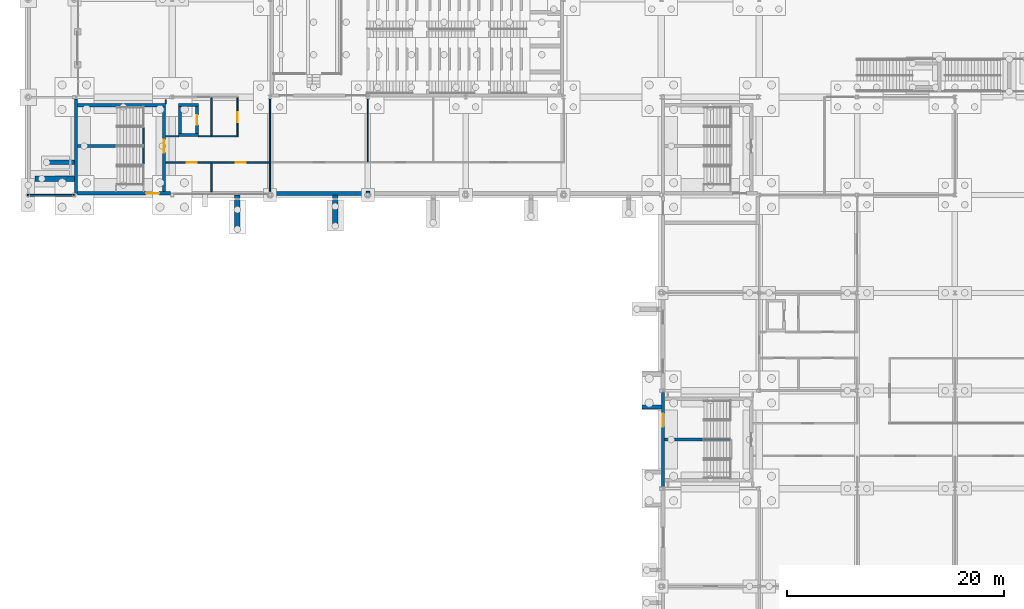
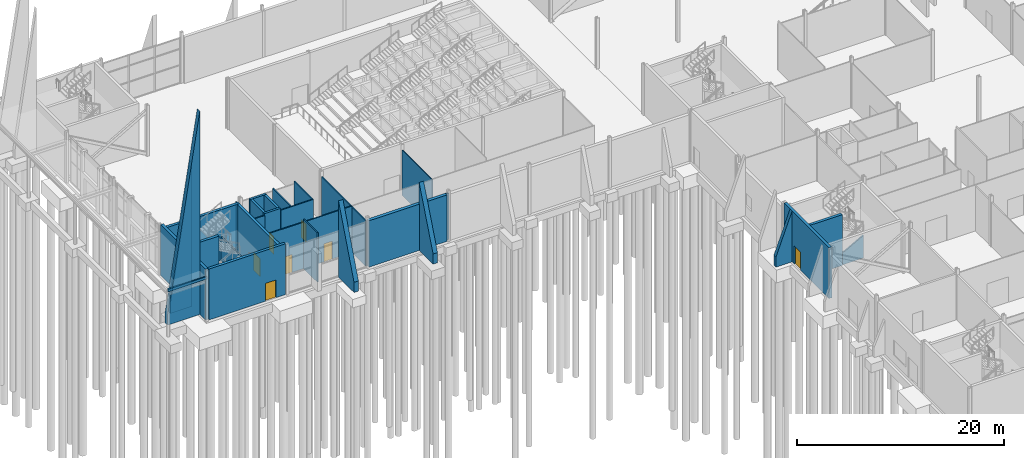
# One storey, part 98 of 139: 30 walls, 7 doors, 7 openings.
"""IFC4 building model written with IfcOpenShell, lengths in metres."""

from ifc_helpers import new_model, si_unit, direction, frame, frame_2d, origin, place, context, subcontext, project, spatial, polyline, rectangle, outline, extrude, material, layer, layer_set, type_object, element, fill, save


model = new_model("IFC4")

# Units and contexts
model_context = context("Model", 3, precision=1e-05, world=origin(), true_north=direction((0.0, 1.0)))
body_context = subcontext(model_context, "Body", "Model", "MODEL_VIEW")
ifc_project = project(units=[si_unit("LENGTHUNIT", "METRE"), si_unit("AREAUNIT", "SQUARE_METRE"), si_unit("VOLUMEUNIT", "CUBIC_METRE"), si_unit("PLANEANGLEUNIT", "RADIAN"), si_unit("MASSUNIT", "GRAM", prefix="KILO")], contexts=[model_context])

# Site, building, storey
site_placement = place(None, origin())
site = spatial("IfcSite", under=ifc_project, at=site_placement, CompositionType="ELEMENT")
building_placement = place(site_placement, origin())
building = spatial("IfcBuilding", under=site, at=building_placement, Name="Shorebreak Coast Museum", CompositionType="ELEMENT")
storey_placement = place(building_placement, origin())
storey = spatial("IfcBuildingStorey", under=building, at=storey_placement, Name="L00", CompositionType="ELEMENT", Elevation=0.0)

# Walls
ifc_material_1 = material(Name="Concrete N50 (50 MPa)", Category="concrete")
ifc_layer_1 = layer(ifc_material_1, 0.14990234375)
ifc_layer_set_1 = layer_set([ifc_layer_1], Name="Concrete N50 (50 MPa)")
wall_type_1 = type_object("IfcWallType", Name="Arcade roof upstand 150", PredefinedType="PARAPET", material=ifc_layer_set_1)
wall_1_placement = place(storey_placement, frame((0.0, 53.97509765625, 5.0), z_axis=(0.0, 0.0, 1.0), x_axis=(-1.0, 0.0, 0.0)))
element("IfcWall", 1, at=wall_1_placement, inside=storey, type_object=wall_type_1, Name="Arcade roof upstand west 1 end 1", PredefinedType="PARAPET", context=body_context, shape_type="SweptSolid", body=[
    extrude(rectangle(XDim=4.35009765625, YDim=0.14990234375, at=frame_2d((2.175048828125, 0.0))), origin(), (0.0, 0.0, 1.0), 0.300048828125),
])
ifc_material_2 = material(Name="Concrete N50 (50 MPa)", Category="concrete")
ifc_layer_2 = layer(ifc_material_2, 0.175048828125)
ifc_layer_set_2 = layer_set([ifc_layer_2], Name="Concrete N50 (50 MPa)")
wall_type_2 = type_object("IfcWallType", Name="Column closure panel 175", PredefinedType="SOLIDWALL", material=ifc_layer_set_2)
wall_2_placement = place(storey_placement, frame((26.839111328125, 54.237548828125, 0.0), z_axis=(0.0, 0.0, 1.0), x_axis=(1.0, 0.0, 0.0)))
element("IfcWall", 2, at=wall_2_placement, inside=storey, type_object=wall_type_2, Name="Column closure panel L00 S 4G", PredefinedType="SOLIDWALL", context=body_context, shape_type="SweptSolid", body=[
    extrude(rectangle(XDim=0.32177734375, YDim=0.175048828125, at=frame_2d((0.160888671875, 0.0))), origin(), (0.0, 0.0, 1.0), 5.469482421875),
])
ifc_material_3 = material(Name="Plasterboard on steel stud", Category="steel")
ifc_layer_3 = layer(ifc_material_3, 0.10009765625)
ifc_layer_set_3 = layer_set([ifc_layer_3], Name="Plasterboard on steel stud")
wall_type_3 = type_object("IfcWallType", Name="Partition 100", PredefinedType="PARTITIONING", material=ifc_layer_set_3)
wall_3_placement = place(storey_placement, frame((27.0, 57.050048828125, 0.0), z_axis=(0.0, 0.0, 1.0), x_axis=(0.0, 1.0, 0.0)))
element("IfcWall", 3, at=wall_3_placement, inside=storey, type_object=wall_type_3, Name="Partition L00-089", PredefinedType="PARTITIONING", context=body_context, shape_type="SweptSolid", body=[
    extrude(rectangle(XDim=5.786376953125, YDim=0.10009765625, at=frame_2d((2.89306640625, 0.0))), origin(), (0.0, 0.0, 1.0), 5.364501953125),
])

# Wall, openings, doors
ifc_material_4 = material(Name="Plasterboard on steel stud", Category="steel")
ifc_layer_4 = layer(ifc_material_4, 0.125)
ifc_layer_set_4 = layer_set([ifc_layer_4], Name="Plasterboard on steel stud")
wall_type_4 = type_object("IfcWallType", Name="Partition 125", PredefinedType="PARTITIONING", material=ifc_layer_set_4)
wall_4_placement = place(storey_placement, frame((8.39990234375, 57.0, 0.0), z_axis=(0.0, 0.0, 1.0), x_axis=(1.0, 0.0, 0.0)))
wall_4 = element("IfcWall", 4, at=wall_4_placement, inside=storey, type_object=wall_type_4, Name="Partition L00-034", PredefinedType="PARTITIONING", context=body_context, shape_type="SweptSolid", body=[
    extrude(rectangle(XDim=9.53759765625, YDim=0.125, at=frame_2d((4.768798828125, 0.0))), origin(), (0.0, 0.0, 1.0), 5.469482421875),
])
opening_1_placement = place(wall_4_placement, frame((1.949951171875, 0.0, 0.0)))
opening_1 = element("IfcOpeningElement", 5, at=opening_1_placement, cuts=wall_4, Name="Opening D0031", PredefinedType="OPENING", context=body_context, shape_type="SweptSolid", body=[
    extrude(rectangle(XDim=0.89990234375, YDim=2.10009765625, at=frame_2d((0.449951171875, 1.050048828125))), frame((0.0, 0.072509765625, 0.0), z_axis=(0.0, -1.0, 0.0), x_axis=(1.0, 0.0, 0.0)), (0.0, 0.0, 1.0), 0.14501953125),
])
opening_2_placement = place(wall_4_placement, frame((6.449951171875, 0.0, 0.0)))
opening_2 = element("IfcOpeningElement", 6, at=opening_2_placement, cuts=wall_4, Name="Opening D0032", PredefinedType="OPENING", context=body_context, shape_type="SweptSolid", body=[
    extrude(rectangle(XDim=0.89990234375, YDim=2.10009765625, at=frame_2d((0.449951171875, 1.050048828125))), frame((0.0, 0.072509765625, 0.0), z_axis=(0.0, -1.0, 0.0), x_axis=(1.0, 0.0, 0.0)), (0.0, 0.0, 1.0), 0.14501953125),
])
ifc_material_5 = material(Name="Timber", Category="wood")
door_type_1 = type_object("IfcDoorType", Name="Interior door 900x2100", OperationType="SINGLE_SWING_LEFT", PredefinedType="DOOR", material=ifc_material_5)
door_1_placement = place(opening_1_placement, origin())
door_1 = element("IfcDoor", 7, at=door_1_placement, inside=storey, type_object=door_type_1, Name="Door D0031 Accessible WC W", OperationType="SINGLE_SWING_RIGHT", OverallHeight=2.10009765625, OverallWidth=0.89990234375, PredefinedType="DOOR", context=body_context, shape_type="SweptSolid", body=[
    extrude(rectangle(XDim=0.89990234375, YDim=2.10009765625, at=frame_2d((0.449951171875, 1.050048828125))), frame((0.0, 0.02490234375, 0.0), z_axis=(0.0, -1.0, 0.0), x_axis=(1.0, 0.0, 0.0)), (0.0, 0.0, 1.0), 0.050048828125),
])
fill(opening_1, door_1)
door_2_placement = place(opening_2_placement, origin())
door_2 = element("IfcDoor", 8, at=door_2_placement, inside=storey, type_object=door_type_1, Name="Door D0032 Male WC W", OperationType="SINGLE_SWING_RIGHT", OverallHeight=2.10009765625, OverallWidth=0.89990234375, PredefinedType="DOOR", context=body_context, shape_type="SweptSolid", body=[
    extrude(rectangle(XDim=0.89990234375, YDim=2.10009765625, at=frame_2d((0.449951171875, 1.050048828125))), frame((0.0, 0.02490234375, 0.0), z_axis=(0.0, -1.0, 0.0), x_axis=(1.0, 0.0, 0.0)), (0.0, 0.0, 1.0), 0.050048828125),
])
fill(opening_2, door_2)

# Walls
wall_5_placement = place(storey_placement, frame((8.39990234375, 59.39990234375, 0.0), z_axis=(0.0, 0.0, 1.0), x_axis=(1.0, 0.0, 0.0)))
element("IfcWall", 9, at=wall_5_placement, inside=storey, type_object=wall_type_4, Name="Partition L00-038", PredefinedType="PARTITIONING", context=body_context, shape_type="SweptSolid", body=[
    extrude(rectangle(XDim=1.2001953125, YDim=0.125, at=frame_2d((0.60009765625, 0.0))), origin(), (0.0, 0.0, 1.0), 5.824951171875),
])
wall_6_placement = place(storey_placement, frame((11.39990234375, 59.39990234375, 0.0), z_axis=(0.0, 0.0, 1.0), x_axis=(1.0, 0.0, 0.0)))
element("IfcWall", 10, at=wall_6_placement, inside=storey, type_object=wall_type_4, Name="Partition L00-039", PredefinedType="PARTITIONING", context=body_context, shape_type="SweptSolid", body=[
    extrude(rectangle(XDim=3.66259765625, YDim=0.125, at=frame_2d((1.831298828125, 0.0))), origin(), (0.0, 0.0, 1.0), 5.824951171875),
])
wall_7_placement = place(storey_placement, frame((8.39990234375, 62.39990234375, 0.0), z_axis=(0.0, 0.0, 1.0), x_axis=(0.0, 1.0, 0.0)))
element("IfcWall", 11, at=wall_7_placement, inside=storey, type_object=wall_type_4, Name="Partition L00-084", PredefinedType="PARTITIONING", context=body_context, shape_type="SweptSolid", body=[
    extrude(rectangle(XDim=0.380126953125, YDim=0.125, at=frame_2d((0.18994140625, 0.0))), origin(), (0.0, 0.0, 1.0), 5.824951171875),
])
wall_8_placement = place(storey_placement, frame((12.60009765625, 54.300048828125, 0.0), z_axis=(0.0, 0.0, 1.0), x_axis=(0.0, 1.0, 0.0)))
element("IfcWall", 12, at=wall_8_placement, inside=storey, type_object=wall_type_4, Name="Partition L00-085", PredefinedType="PARTITIONING", context=body_context, shape_type="SweptSolid", body=[
    extrude(rectangle(XDim=2.637451171875, YDim=0.125, at=frame_2d((1.31884765625, 0.0))), origin(), (0.0, 0.0, 1.0), 5.824951171875),
])
wall_9_placement = place(storey_placement, frame((12.60009765625, 59.46240234375, 0.0), z_axis=(0.0, 0.0, 1.0), x_axis=(0.0, 1.0, 0.0)))
element("IfcWall", 13, at=wall_9_placement, inside=storey, type_object=wall_type_4, Name="Partition L00-086", PredefinedType="PARTITIONING", context=body_context, shape_type="SweptSolid", body=[
    extrude(rectangle(XDim=3.47509765625, YDim=0.125, at=frame_2d((1.737548828125, 0.0))), origin(), (0.0, 0.0, 1.0), 5.824951171875),
])

# Wall, opening, door
wall_10_placement = place(storey_placement, frame((15.0, 59.46240234375, 0.0), z_axis=(0.0, 0.0, 1.0), x_axis=(0.0, 1.0, 0.0)))
wall_10 = element("IfcWall", 14, at=wall_10_placement, inside=storey, type_object=wall_type_4, Name="Partition L00-087", PredefinedType="PARTITIONING", context=body_context, shape_type="SweptSolid", body=[
    extrude(rectangle(XDim=3.47509765625, YDim=0.125, at=frame_2d((1.737548828125, 0.0))), origin(), (0.0, 0.0, 1.0), 5.824951171875),
])
opening_3_placement = place(wall_10_placement, frame((1.25, 0.0, 0.0)))
opening_3 = element("IfcOpeningElement", 15, at=opening_3_placement, cuts=wall_10, Name="Opening D0030", PredefinedType="OPENING", context=body_context, shape_type="SweptSolid", body=[
    extrude(rectangle(XDim=0.89990234375, YDim=2.10009765625, at=frame_2d((0.449951171875, 1.050048828125))), frame((0.0, 0.072509765625, 0.0), z_axis=(0.0, -1.0, 0.0), x_axis=(1.0, 0.0, 0.0)), (0.0, 0.0, 1.0), 0.14501953125),
])
door_3_placement = place(opening_3_placement, origin())
door_3 = element("IfcDoor", 16, at=door_3_placement, inside=storey, type_object=door_type_1, Name="Door D0030 Female WC W", OperationType="SINGLE_SWING_RIGHT", OverallHeight=2.10009765625, OverallWidth=0.89990234375, PredefinedType="DOOR", context=body_context, shape_type="SweptSolid", body=[
    extrude(rectangle(XDim=0.89990234375, YDim=2.10009765625, at=frame_2d((0.449951171875, 1.050048828125))), frame((0.0, 0.02490234375, 0.0), z_axis=(0.0, -1.0, 0.0), x_axis=(1.0, 0.0, 0.0)), (0.0, 0.0, 1.0), 0.050048828125),
])
fill(opening_3, door_3)

# Walls
wall_11_placement = place(storey_placement, frame((18.0, 54.300048828125, 0.0), z_axis=(0.0, 0.0, 1.0), x_axis=(0.0, 1.0, 0.0)))
element("IfcWall", 17, at=wall_11_placement, inside=storey, type_object=wall_type_4, Name="Partition L00-088", PredefinedType="PARTITIONING", context=body_context, shape_type="SweptSolid", body=[
    extrude(rectangle(XDim=8.536376953125, YDim=0.125, at=frame_2d((4.26806640625, 0.0))), origin(), (0.0, 0.0, 1.0), 5.364501953125),
])
ifc_material_6 = material(Name="Concrete N50 (50 MPa)", Category="concrete")
ifc_layer_5 = layer(ifc_material_6, 0.35009765625)
ifc_layer_set_5 = layer_set([ifc_layer_5], Name="Concrete N50 (50 MPa)")
wall_type_5 = type_object("IfcWallType", Name="Precast plinth panel 350", PredefinedType="SOLIDWALL", material=ifc_layer_set_5)
wall_12_placement = place(storey_placement, frame((18.14990234375, 54.14990234375, 0.0), z_axis=(0.0, 0.0, 1.0), x_axis=(1.0, 0.0, 0.0)))
element("IfcWall", 18, at=wall_12_placement, inside=storey, type_object=wall_type_5, Name="External wall L00 S 3G", PredefinedType="SOLIDWALL", context=body_context, shape_type="SweptSolid", body=[
    extrude(rectangle(XDim=8.689208984375, YDim=0.35009765625, at=frame_2d((4.3447265625, 0.0))), origin(), (0.0, 0.0, 1.0), 5.469482421875),
])
ifc_material_7 = material(Name="Concrete N50 (50 MPa)", Category="concrete")
ifc_layer_6 = layer(ifc_material_7, 0.25)
ifc_layer_set_6 = layer_set([ifc_layer_6], Name="Concrete N50 (50 MPa)")
wall_type_6 = type_object("IfcWallType", Name="RC riser wall 250", PredefinedType="STANDARD", material=ifc_layer_set_6)
for number, where, z_axis, x_axis, name in (
    (19, (9.60009765625, 59.52490234375, 0.0), (0.0, 0.0, 1.0), (1.0, 0.0, 0.0), "Riser wall R-WC-W L00 S"),
    (20, (9.60009765625, 62.27490234375, 0.0), (0.0, 0.0, 1.0), (1.0, 0.0, 0.0), "Riser wall R-WC-W L00 N"),
):
    element("IfcWall", number, at=place(storey_placement, frame(where, z_axis=z_axis, x_axis=x_axis)), inside=storey, type_object=wall_type_6, Name=name, PredefinedType="STANDARD", context=body_context, shape_type="SweptSolid", body=[
        extrude(rectangle(XDim=1.7998046875, YDim=0.25, at=frame_2d((0.89990234375, 0.0))), origin(), (0.0, 0.0, 1.0), 6.0),
    ])
wall_13_placement = place(storey_placement, frame((9.72509765625, 59.64990234375, 0.0), z_axis=(0.0, 0.0, 1.0), x_axis=(0.0, 1.0, 0.0)))
element("IfcWall", 21, at=wall_13_placement, inside=storey, type_object=wall_type_6, Name="Riser wall R-WC-W L00 W", PredefinedType="STANDARD", context=body_context, shape_type="SweptSolid", body=[
    extrude(rectangle(XDim=2.5, YDim=0.25, at=frame_2d((1.25, 0.0))), origin(), (0.0, 0.0, 1.0), 6.0),
])

# Wall, opening, door
wall_14_placement = place(storey_placement, frame((11.27490234375, 59.64990234375, 0.0), z_axis=(0.0, 0.0, 1.0), x_axis=(0.0, 1.0, 0.0)))
wall_14 = element("IfcWall", 22, at=wall_14_placement, inside=storey, type_object=wall_type_6, Name="Riser wall R-WC-W L00 E", PredefinedType="STANDARD", context=body_context, shape_type="SweptSolid", body=[
    extrude(rectangle(XDim=2.5, YDim=0.25, at=frame_2d((1.25, 0.0))), origin(), (0.0, 0.0, 1.0), 6.0),
])
opening_4_placement = place(wall_14_placement, frame((0.800048828125, 0.0, 0.0)))
opening_4 = element("IfcOpeningElement", 23, at=opening_4_placement, cuts=wall_14, Name="Opening D0603", PredefinedType="OPENING", context=body_context, shape_type="SweptSolid", body=[
    extrude(rectangle(XDim=0.89990234375, YDim=2.10009765625, at=frame_2d((0.449951171875, 1.050048828125))), frame((0.0, 0.135009765625, 0.0), z_axis=(0.0, -1.0, 0.0), x_axis=(1.0, 0.0, 0.0)), (0.0, 0.0, 1.0), 0.27001953125),
])
ifc_material_8 = material(Name="Steel Grade 300", Category="steel")
door_type_2 = type_object("IfcDoorType", Name="Riser door 900x2100", OperationType="SINGLE_SWING_LEFT", PredefinedType="DOOR", material=ifc_material_8)
door_4_placement = place(opening_4_placement, origin())
door_4 = element("IfcDoor", 24, at=door_4_placement, inside=storey, type_object=door_type_2, Name="Riser door R-WC-W L00", OperationType="SINGLE_SWING_RIGHT", OverallHeight=2.10009765625, OverallWidth=0.89990234375, PredefinedType="DOOR", context=body_context, shape_type="SweptSolid", body=[
    extrude(rectangle(XDim=0.89990234375, YDim=2.10009765625, at=frame_2d((0.449951171875, 1.050048828125))), frame((0.0, 0.02490234375, 0.0), z_axis=(0.0, -1.0, 0.0), x_axis=(1.0, 0.0, 0.0)), (0.0, 0.0, 1.0), 0.050048828125),
])
fill(opening_4, door_4)

ifc_material_9 = material(Name="Concrete N50 (50 MPa)", Category="concrete")
ifc_layer_7 = layer(ifc_material_9, 0.300048828125)
ifc_layer_set_7 = layer_set([ifc_layer_7], Name="Concrete N50 (50 MPa)")
wall_type_7 = type_object("IfcWallType", Name="RC wall 300", PredefinedType="SHEAR", material=ifc_layer_set_7)
wall_15_placement = place(storey_placement, frame((0.300048828125, 54.14990234375, 0.0), z_axis=(0.0, 0.0, 1.0), x_axis=(1.0, 0.0, 0.0)))
wall_15 = element("IfcWall", 25, at=wall_15_placement, inside=storey, type_object=wall_type_7, Name="Stair core wall ST05 L00 S", PredefinedType="SHEAR", context=body_context, shape_type="SweptSolid", body=[
    extrude(rectangle(XDim=8.550048828125, YDim=0.300048828125, at=frame_2d((4.27490234375, 0.0))), origin(), (0.0, 0.0, 1.0), 6.0),
])
opening_5_placement = place(wall_15_placement, frame((6.300048828125, 0.0, 0.0)))
opening_5 = element("IfcOpeningElement", 26, at=opening_5_placement, cuts=wall_15, Name="Opening D0705", PredefinedType="OPENING", context=body_context, shape_type="SweptSolid", body=[
    extrude(rectangle(XDim=1.199951171875, YDim=2.10009765625, at=frame_2d((0.60009765625, 1.050048828125))), frame((0.0, 0.159912109375, 0.0), z_axis=(0.0, -1.0, 0.0), x_axis=(1.0, 0.0, 0.0)), (0.0, 0.0, 1.0), 0.320068359375),
])
ifc_material_10 = material(Name="Steel Grade 300", Category="steel")
door_type_3 = type_object("IfcDoorType", Name="Exit door 1200x2100", OperationType="SINGLE_SWING_LEFT", PredefinedType="DOOR", material=ifc_material_10)
door_5_placement = place(opening_5_placement, frame((1.199951171875, 0.0, 0.0), z_axis=(0.0, 0.0, 1.0), x_axis=(-1.0, 0.0, 0.0)))
door_5 = element("IfcDoor", 27, at=door_5_placement, inside=storey, type_object=door_type_3, Name="Exit door ST05", OperationType="SINGLE_SWING_LEFT", OverallHeight=2.10009765625, OverallWidth=1.199951171875, PredefinedType="DOOR", context=body_context, shape_type="SweptSolid", body=[
    extrude(rectangle(XDim=1.199951171875, YDim=2.10009765625, at=frame_2d((0.60009765625, 1.050048828125))), frame((0.0, 0.02490234375, 0.0), z_axis=(0.0, -1.0, 0.0), x_axis=(1.0, 0.0, 0.0)), (0.0, 0.0, 1.0), 0.050048828125),
])
fill(opening_5, door_5)

# Walls
wall_16_placement = place(storey_placement, frame((0.300048828125, 62.25, 0.0), z_axis=(0.0, 0.0, 1.0), x_axis=(1.0, 0.0, 0.0)))
element("IfcWall", 28, at=wall_16_placement, inside=storey, type_object=wall_type_7, Name="Stair core wall ST05 L00 N", PredefinedType="SHEAR", context=body_context, shape_type="SweptSolid", body=[
    extrude(rectangle(XDim=8.099853515625, YDim=0.300048828125, at=frame_2d((4.0498046875, 0.0))), origin(), (0.0, 0.0, 1.0), 6.0),
])
wall_17_placement = place(storey_placement, frame((0.14990234375, 54.14990234375, 0.0), z_axis=(0.0, 0.0, 1.0), x_axis=(0.0, 1.0, 0.0)))
element("IfcWall", 29, at=wall_17_placement, inside=storey, type_object=wall_type_7, Name="Stair core wall ST05 L00 W", PredefinedType="SHEAR", context=body_context, shape_type="SweptSolid", body=[
    extrude(rectangle(XDim=8.7001953125, YDim=0.300048828125, at=frame_2d((4.35009765625, 0.0))), origin(), (0.0, 0.0, 1.0), 6.0),
])

# Wall, opening, door
wall_18_placement = place(storey_placement, frame((8.25, 54.300048828125, 0.0), z_axis=(0.0, 0.0, 1.0), x_axis=(0.0, 1.0, 0.0)))
wall_18 = element("IfcWall", 30, at=wall_18_placement, inside=storey, type_object=wall_type_7, Name="Stair core wall ST05 L00 E", PredefinedType="SHEAR", context=body_context, shape_type="SweptSolid", body=[
    extrude(rectangle(XDim=7.800048828125, YDim=0.300048828125, at=frame_2d((3.89990234375, 0.0))), origin(), (0.0, 0.0, 1.0), 6.0),
])
opening_6_placement = place(wall_18_placement, frame((3.60009765625, 0.0, 0.0)))
opening_6 = element("IfcOpeningElement", 31, at=opening_6_placement, cuts=wall_18, Name="Opening D0805", PredefinedType="OPENING", context=body_context, shape_type="SweptSolid", body=[
    extrude(rectangle(XDim=1.199951171875, YDim=2.10009765625, at=frame_2d((0.60009765625, 1.050048828125))), frame((0.0, 0.159912109375, 0.0), z_axis=(0.0, -1.0, 0.0), x_axis=(1.0, 0.0, 0.0)), (0.0, 0.0, 1.0), 0.320068359375),
])
ifc_material_11 = material(Name="Steel Grade 300", Category="steel")
door_type_4 = type_object("IfcDoorType", Name="Fire door 1200x2100", OperationType="SINGLE_SWING_LEFT", PredefinedType="DOOR", material=ifc_material_11)
door_6_placement = place(opening_6_placement, origin())
door_6 = element("IfcDoor", 32, at=door_6_placement, inside=storey, type_object=door_type_4, Name="Stair door ST05 L00", OperationType="SINGLE_SWING_LEFT", OverallHeight=2.10009765625, OverallWidth=1.199951171875, PredefinedType="DOOR", context=body_context, shape_type="SweptSolid", body=[
    extrude(rectangle(XDim=1.199951171875, YDim=2.10009765625, at=frame_2d((0.60009765625, 1.050048828125))), frame((0.0, 0.02490234375, 0.0), z_axis=(0.0, -1.0, 0.0), x_axis=(1.0, 0.0, 0.0)), (0.0, 0.0, 1.0), 0.050048828125),
])
fill(opening_6, door_6)

wall_19_placement = place(storey_placement, frame((54.14990234375, 27.14990234375, 0.0), z_axis=(0.0, 0.0, 1.0), x_axis=(0.0, 1.0, 0.0)))
wall_19 = element("IfcWall", 33, at=wall_19_placement, inside=storey, type_object=wall_type_7, Name="Stair core wall ST13 L00 W", PredefinedType="SHEAR", context=body_context, shape_type="SweptSolid", body=[
    extrude(rectangle(XDim=8.7001953125, YDim=0.300048828125, at=frame_2d((4.35009765625, 0.0))), origin(), (0.0, 0.0, 1.0), 6.0),
])
opening_7_placement = place(wall_19_placement, frame((5.550048828125, 0.0, 0.0)))
opening_7 = element("IfcOpeningElement", 34, at=opening_7_placement, cuts=wall_19, Name="Opening D0713", PredefinedType="OPENING", context=body_context, shape_type="SweptSolid", body=[
    extrude(rectangle(XDim=1.199951171875, YDim=2.10009765625, at=frame_2d((0.60009765625, 1.050048828125))), frame((0.0, 0.159912109375, 0.0), z_axis=(0.0, -1.0, 0.0), x_axis=(1.0, 0.0, 0.0)), (0.0, 0.0, 1.0), 0.320068359375),
])
door_7_placement = place(opening_7_placement, origin())
door_7 = element("IfcDoor", 35, at=door_7_placement, inside=storey, type_object=door_type_3, Name="Exit door ST13", OperationType="SINGLE_SWING_LEFT", OverallHeight=2.10009765625, OverallWidth=1.199951171875, PredefinedType="DOOR", context=body_context, shape_type="SweptSolid", body=[
    extrude(rectangle(XDim=1.199951171875, YDim=2.10009765625, at=frame_2d((0.60009765625, 1.050048828125))), frame((0.0, 0.02490234375, 0.0), z_axis=(0.0, -1.0, 0.0), x_axis=(1.0, 0.0, 0.0)), (0.0, 0.0, 1.0), 0.050048828125),
])
fill(opening_7, door_7)

# Walls
for number, where, z_axis, x_axis, name in (
    (36, (3.89990234375, 58.5, 0.0), (0.0, 0.0, 1.0), (-1.0, 0.0, 0.0), "Stair spine wall ST05 L00"),
    (37, (57.89990234375, 31.5, 0.0), (0.0, 0.0, 1.0), (-1.0, 0.0, 0.0), "Stair spine wall ST13 L00"),
):
    element("IfcWall", number, at=place(storey_placement, frame(where, z_axis=z_axis, x_axis=x_axis)), inside=storey, type_object=wall_type_7, Name=name, PredefinedType="SHEAR", context=body_context, shape_type="SweptSolid", body=[
        extrude(rectangle(XDim=3.599853515625, YDim=0.300048828125, at=frame_2d((1.7998046875, 0.0))), origin(), (0.0, 0.0, 1.0), 6.0),
    ])
ifc_material_12 = material(Name="Concrete N50 (50 MPa)", Category="concrete")
ifc_layer_8 = layer(ifc_material_12, 0.39990234375)
ifc_layer_set_8 = layer_set([ifc_layer_8], Name="Concrete N50 (50 MPa)")
wall_type_8 = type_object("IfcWallType", Name="Raked fin 400", PredefinedType="SOLIDWALL", material=ifc_layer_set_8)
wall_20_placement = place(storey_placement, frame((0.0, 57.0, 0.0), z_axis=(0.0, 0.0, 1.0), x_axis=(-1.0, 0.0, 0.0)))
element("IfcWall", 38, at=wall_20_placement, inside=storey, type_object=wall_type_8, Name="Raked fin W02", PredefinedType="SOLIDWALL", context=body_context, shape_type="SweptSolid", body=[
    extrude(outline(polyline([(0.0, 0.0), (2.39990234375, 0.0), (2.39990234375, 1.199951171875), (0.0, 17.0), (0.0, 0.0)])), frame((0.0, 0.199951171875, 0.0), z_axis=(0.0, -1.0, 0.0), x_axis=(1.0, 0.0, 0.0)), (0.0, 0.0, 1.0), 0.39990234375),
])
wall_21_placement = place(storey_placement, frame((54.0, 34.5, 0.0), z_axis=(0.0, 0.0, 1.0), x_axis=(-1.0, 0.0, 0.0)))
element("IfcWall", 39, at=wall_21_placement, inside=storey, type_object=wall_type_8, Name="Raked fin SW37", PredefinedType="SOLIDWALL", context=body_context, shape_type="SweptSolid", body=[
    extrude(outline(polyline([(0.0, 0.0), (1.800048828125, 0.0), (1.800048828125, 1.199951171875), (0.0, 6.0), (0.0, 0.0)])), frame((0.0, 0.199951171875, 0.0), z_axis=(0.0, -1.0, 0.0), x_axis=(1.0, 0.0, 0.0)), (0.0, 0.0, 1.0), 0.39990234375),
])
ifc_material_13 = material(Name="Concrete N50 (50 MPa)", Category="concrete")
ifc_layer_9 = layer(ifc_material_13, 0.5)
ifc_layer_set_9 = layer_set([ifc_layer_9], Name="Concrete N50 (50 MPa)")
wall_type_9 = type_object("IfcWallType", Name="Raked fin 500", PredefinedType="SOLIDWALL", material=ifc_layer_set_9)
wall_22_placement = place(storey_placement, frame((0.0, 55.5, 0.0), z_axis=(0.0, 0.0, 1.0), x_axis=(-1.0, 0.0, 0.0)))
element("IfcWall", 40, at=wall_22_placement, inside=storey, type_object=wall_type_9, Name="Raked fin W01", PredefinedType="SOLIDWALL", context=body_context, shape_type="SweptSolid", body=[
    extrude(outline(polyline([(0.0, 0.0), (3.60009765625, 0.0), (3.60009765625, 1.199951171875), (0.0, 24.0), (0.0, 0.0)])), frame((0.0, 0.25, 0.0), z_axis=(0.0, -1.0, 0.0), x_axis=(1.0, 0.0, 0.0)), (0.0, 0.0, 1.0), 0.5),
])
wall_23_placement = place(storey_placement, frame((15.0, 54.0, 0.0), z_axis=(0.0, 0.0, 1.0), x_axis=(0.0, -1.0, 0.0)))
element("IfcWall", 41, at=wall_23_placement, inside=storey, type_object=wall_type_9, Name="Raked fin WS14", PredefinedType="SOLIDWALL", context=body_context, shape_type="SweptSolid", body=[
    extrude(outline(polyline([(0.0, 0.0), (3.0, 0.0), (3.0, 1.199951171875), (0.0, 9.0), (0.0, 0.0)])), frame((0.0, 0.25, 0.0), z_axis=(0.0, -1.0, 0.0), x_axis=(1.0, 0.0, 0.0)), (0.0, 0.0, 1.0), 0.5),
])
wall_24_placement = place(storey_placement, frame((24.0, 54.0, 0.0), z_axis=(0.0, 0.0, 1.0), x_axis=(0.0, -1.0, 0.0)))
element("IfcWall", 42, at=wall_24_placement, inside=storey, type_object=wall_type_9, Name="Raked fin WS15", PredefinedType="SOLIDWALL", context=body_context, shape_type="SweptSolid", body=[
    extrude(outline(polyline([(0.0, 0.0), (2.699951171875, 0.0), (2.699951171875, 1.199951171875), (0.0, 8.0), (0.0, 0.0)])), frame((0.0, 0.25, 0.0), z_axis=(0.0, -1.0, 0.0), x_axis=(1.0, 0.0, 0.0)), (0.0, 0.0, 1.0), 0.5),
])
ifc_material_14 = material(Name="Concrete N50 (50 MPa)", Category="concrete")
ifc_layer_10 = layer(ifc_material_14, 0.14990234375)
ifc_layer_set_10 = layer_set([ifc_layer_10], Name="Concrete N50 (50 MPa)")
wall_type_10 = type_object("IfcWallType", Name="Understair wall 150", PredefinedType="STANDARD", material=ifc_layer_set_10)
wall_25_placement = place(storey_placement, frame((6.375, 56.699951171875, 0.0), z_axis=(0.0, 0.0, 1.0), x_axis=(0.0, 1.0, 0.0)))
element("IfcWall", 43, at=wall_25_placement, inside=storey, type_object=wall_type_10, Name="Understair wall ST05 L00 floor", PredefinedType="STANDARD", context=body_context, shape_type="SweptSolid", body=[
    extrude(rectangle(XDim=5.400146484375, YDim=0.14990234375, at=frame_2d((2.7001953125, 0.0))), origin(), (0.0, 0.0, 1.0), 2.800048828125),
])
wall_26_placement = place(storey_placement, frame((60.300048828125, 31.5, 0.0), z_axis=(0.0, 0.0, 1.0), x_axis=(-1.0, 0.0, 0.0)))
element("IfcWall", 44, at=wall_26_placement, inside=storey, type_object=wall_type_10, Name="Stair route wall ST13 L00", PredefinedType="STANDARD", context=body_context, shape_type="SweptSolid", body=[
    extrude(outline(polyline([(0.0, 0.0), (2.400146484375, 0.0), (2.39990234375, 1.5), (2.091064453125, 1.5), (0.0, 2.66162109375), (0.0, 0.0)])), frame((0.0, 0.074951171875, 0.0), z_axis=(0.0, -1.0, 0.0), x_axis=(1.0, 0.0, 0.0)), (0.0, 0.0, 1.0), 0.14990234375),
])

save(model, "model.ifc")
